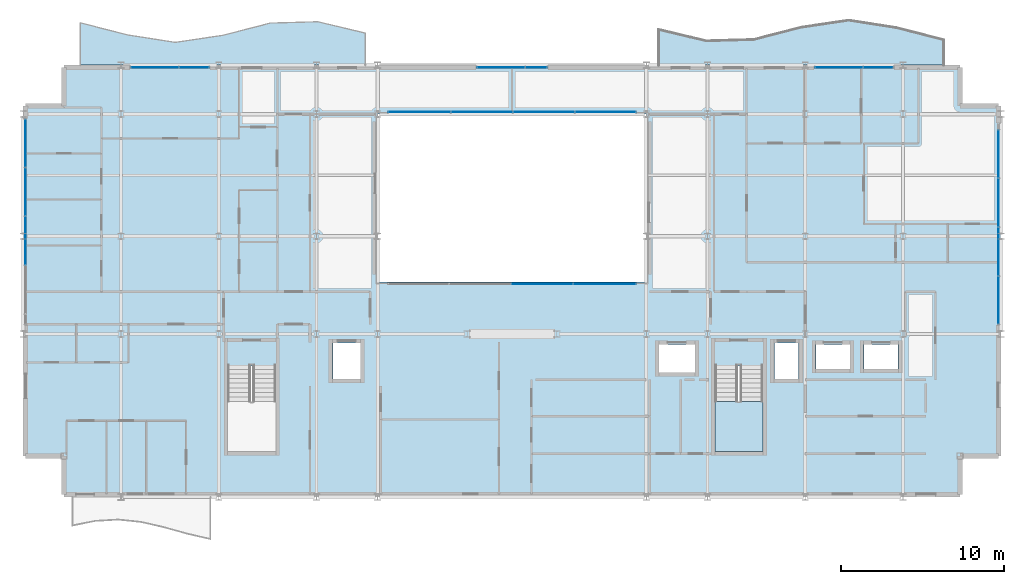
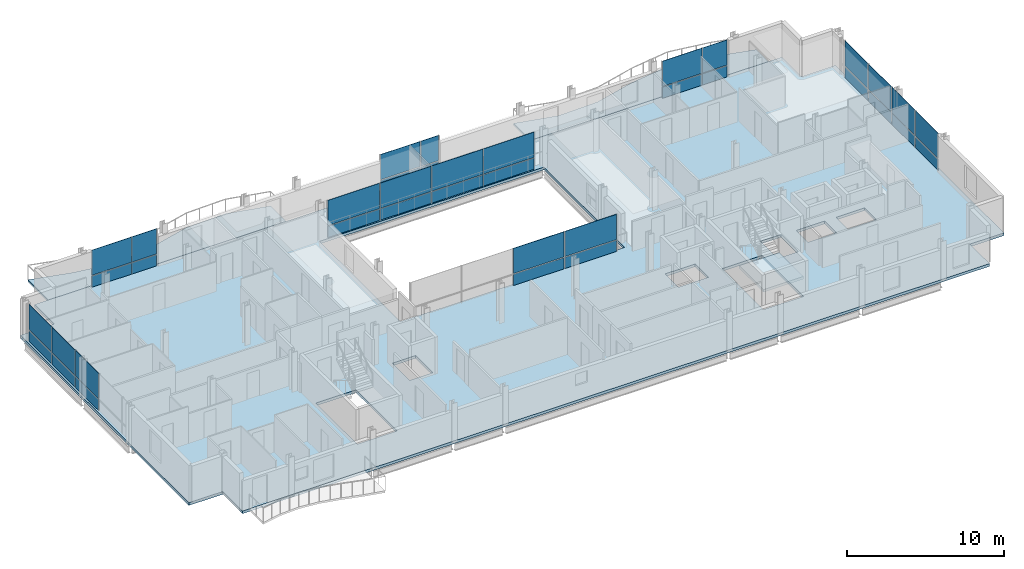
# One storey, part 26 of 35: 38 plates, 4 slabs, 8 elements without a shape of their own.
"""IFC4 building model written with IfcOpenShell, lengths in metres."""

from ifc_helpers import new_model, si_unit, direction, frame, origin, origin_2d, place, context, subcontext, project, spatial, polyline, rectangle, outline, extrude, material, layer, layer_set, type_object, element, aggregate, save


model = new_model("IFC4")

# Units and contexts
model_context = context("Model", 3, precision=1e-05, world=origin(), true_north=direction((0.0, 1.0)))
body_context = subcontext(model_context, "Body", "Model", "MODEL_VIEW")
ifc_project = project(units=[si_unit("LENGTHUNIT", "METRE"), si_unit("AREAUNIT", "SQUARE_METRE"), si_unit("VOLUMEUNIT", "CUBIC_METRE"), si_unit("PLANEANGLEUNIT", "RADIAN"), si_unit("MASSUNIT", "GRAM", prefix="KILO")], contexts=[model_context])

# Site, building, storey
site_placement = place(None, origin())
site = spatial("IfcSite", under=ifc_project, at=site_placement, CompositionType="ELEMENT")
building_placement = place(site_placement, origin())
building = spatial("IfcBuilding", under=site, at=building_placement, Name="Brevholm Reach", CompositionType="ELEMENT")
storey_placement = place(building_placement, frame((0.0, 0.0, 183.199951171875)))
storey = spatial("IfcBuildingStorey", under=building, at=storey_placement, Name="L55", CompositionType="ELEMENT", Elevation=183.199951171875)

# Curtain wall, plates
ifc_material_1 = material(Name="Dark Anodised Aluminium 6063-T6 and Solar-Control Glass", Category="aluminium")
ifc_layer_1 = layer(ifc_material_1, 0.14990234375)
ifc_layer_set_1 = layer_set([ifc_layer_1], Name="Dark Anodised Aluminium 6063-T6 and Solar-Control Glass")
curtain_wall_type_1 = type_object("IfcCurtainWallType", Name="CW-01", PredefinedType="NOTDEFINED", material=ifc_layer_set_1)
curtain_wall_1_placement = place(storey_placement, origin())
curtain_wall_1 = element("IfcCurtainWall", 1, at=curtain_wall_1_placement, inside=storey, type_object=curtain_wall_type_1, Name="L55 Curtain Wall CW-01", PredefinedType="NOTDEFINED")
ifc_material_2 = material(Name="Dark Solar-Control Double-Glazed IGU Glass", Category="glass")
ifc_layer_2 = layer(ifc_material_2, 0.028076171875)
ifc_layer_set_2 = layer_set([ifc_layer_2], Name="Dark Solar-Control Double-Glazed IGU Glass")
plate_type_1 = type_object("IfcPlateType", Name="CWP-GLZ-28", PredefinedType="CURTAIN_PANEL", material=ifc_layer_set_2)
plate_1_placement = place(storey_placement, frame((0.14990234375, 21.703857421875, 0.0), z_axis=(0.0, 0.0, 1.0), x_axis=(0.0, -1.0, 0.0)))
plate_1 = element("IfcPlate", 2, at=plate_1_placement, type_object=plate_type_1, Name="CP-01 Glazing Panel 1.1", PredefinedType="CURTAIN_PANEL", context=body_context, shape_type="SweptSolid", body=[
    extrude(rectangle(XDim=2.902587890625, YDim=0.028076171875, at=origin_2d()), origin(), (0.0, 0.0, 1.0), 0.867431640625),
])
plate_2_placement = place(storey_placement, frame((0.14990234375, 21.703857421875, 0.9326171875), z_axis=(0.0, 0.0, 1.0), x_axis=(0.0, -1.0, 0.0)))
plate_2 = element("IfcPlate", 3, at=plate_2_placement, type_object=plate_type_1, Name="CP-01 Glazing Panel 1.2", PredefinedType="CURTAIN_PANEL", context=body_context, shape_type="SweptSolid", body=[
    extrude(rectangle(XDim=2.902587890625, YDim=0.028076171875, at=origin_2d()), origin(), (0.0, 0.0, 1.0), 1.95751953125),
])
plate_3_placement = place(storey_placement, frame((0.14990234375, 18.719970703125, 0.0), z_axis=(0.0, 0.0, 1.0), x_axis=(0.0, -1.0, 0.0)))
plate_3 = element("IfcPlate", 4, at=plate_3_placement, type_object=plate_type_1, Name="CP-01 Glazing Panel 2.1", PredefinedType="CURTAIN_PANEL", context=body_context, shape_type="SweptSolid", body=[
    extrude(rectangle(XDim=2.93505859375, YDim=0.028076171875, at=origin_2d()), origin(), (0.0, 0.0, 1.0), 0.867431640625),
])
plate_4_placement = place(storey_placement, frame((0.14990234375, 18.719970703125, 0.9326171875), z_axis=(0.0, 0.0, 1.0), x_axis=(0.0, -1.0, 0.0)))
plate_4 = element("IfcPlate", 5, at=plate_4_placement, type_object=plate_type_1, Name="CP-01 Glazing Panel 2.2", PredefinedType="CURTAIN_PANEL", context=body_context, shape_type="SweptSolid", body=[
    extrude(rectangle(XDim=2.93505859375, YDim=0.028076171875, at=origin_2d()), origin(), (0.0, 0.0, 1.0), 1.95751953125),
])
plate_5_placement = place(storey_placement, frame((0.14990234375, 15.719970703125, 0.0), z_axis=(0.0, 0.0, 1.0), x_axis=(0.0, -1.0, 0.0)))
plate_5 = element("IfcPlate", 6, at=plate_5_placement, type_object=plate_type_1, Name="CP-01 Glazing Panel 3.1", PredefinedType="CURTAIN_PANEL", context=body_context, shape_type="SweptSolid", body=[
    extrude(rectangle(XDim=2.93505859375, YDim=0.028076171875, at=origin_2d()), origin(), (0.0, 0.0, 1.0), 0.867431640625),
])
plate_6_placement = place(storey_placement, frame((0.14990234375, 15.719970703125, 0.9326171875), z_axis=(0.0, 0.0, 1.0), x_axis=(0.0, -1.0, 0.0)))
plate_6 = element("IfcPlate", 7, at=plate_6_placement, type_object=plate_type_1, Name="CP-01 Glazing Panel 3.2", PredefinedType="CURTAIN_PANEL", context=body_context, shape_type="SweptSolid", body=[
    extrude(rectangle(XDim=2.93505859375, YDim=0.028076171875, at=origin_2d()), origin(), (0.0, 0.0, 1.0), 1.95751953125),
])
aggregate(curtain_wall_1, [plate_1, plate_2, plate_3, plate_4, plate_5, plate_6])

curtain_wall_2_placement = place(storey_placement, origin())
curtain_wall_2 = element("IfcCurtainWall", 8, at=curtain_wall_2_placement, inside=storey, type_object=curtain_wall_type_1, Name="L55 Curtain Wall CW-01", PredefinedType="NOTDEFINED")
plate_7_placement = place(storey_placement, frame((59.85009765625, 12.066162109375, 0.0), z_axis=(0.0, 0.0, 1.0), x_axis=(0.0, 1.0, 0.0)))
plate_7 = element("IfcPlate", 9, at=plate_7_placement, type_object=plate_type_1, Name="CP-01 Glazing Panel 1.1", PredefinedType="CURTAIN_PANEL", context=body_context, shape_type="SweptSolid", body=[
    extrude(rectangle(XDim=2.902587890625, YDim=0.028076171875, at=origin_2d()), origin(), (0.0, 0.0, 1.0), 0.867431640625),
])
plate_8_placement = place(storey_placement, frame((59.85009765625, 12.066162109375, 0.9326171875), z_axis=(0.0, 0.0, 1.0), x_axis=(0.0, 1.0, 0.0)))
plate_8 = element("IfcPlate", 10, at=plate_8_placement, type_object=plate_type_1, Name="CP-01 Glazing Panel 1.2", PredefinedType="CURTAIN_PANEL", context=body_context, shape_type="SweptSolid", body=[
    extrude(rectangle(XDim=2.902587890625, YDim=0.028076171875, at=origin_2d()), origin(), (0.0, 0.0, 1.0), 1.95751953125),
])
plate_9_placement = place(storey_placement, frame((59.85009765625, 15.050048828125, 0.0), z_axis=(0.0, 0.0, 1.0), x_axis=(0.0, 1.0, 0.0)))
plate_9 = element("IfcPlate", 11, at=plate_9_placement, type_object=plate_type_1, Name="CP-01 Glazing Panel 2.1", PredefinedType="CURTAIN_PANEL", context=body_context, shape_type="SweptSolid", body=[
    extrude(rectangle(XDim=2.93505859375, YDim=0.028076171875, at=origin_2d()), origin(), (0.0, 0.0, 1.0), 0.867431640625),
])
plate_10_placement = place(storey_placement, frame((59.85009765625, 15.050048828125, 0.9326171875), z_axis=(0.0, 0.0, 1.0), x_axis=(0.0, 1.0, 0.0)))
plate_10 = element("IfcPlate", 12, at=plate_10_placement, type_object=plate_type_1, Name="CP-01 Glazing Panel 2.2", PredefinedType="CURTAIN_PANEL", context=body_context, shape_type="SweptSolid", body=[
    extrude(rectangle(XDim=2.93505859375, YDim=0.028076171875, at=origin_2d()), origin(), (0.0, 0.0, 1.0), 1.95751953125),
])
plate_11_placement = place(storey_placement, frame((59.85009765625, 18.050048828125, 0.0), z_axis=(0.0, 0.0, 1.0), x_axis=(0.0, 1.0, 0.0)))
plate_11 = element("IfcPlate", 13, at=plate_11_placement, type_object=plate_type_1, Name="CP-01 Glazing Panel 3.1", PredefinedType="CURTAIN_PANEL", context=body_context, shape_type="SweptSolid", body=[
    extrude(rectangle(XDim=2.93505859375, YDim=0.028076171875, at=origin_2d()), origin(), (0.0, 0.0, 1.0), 0.867431640625),
])
plate_12_placement = place(storey_placement, frame((59.85009765625, 18.050048828125, 0.9326171875), z_axis=(0.0, 0.0, 1.0), x_axis=(0.0, 1.0, 0.0)))
plate_12 = element("IfcPlate", 14, at=plate_12_placement, type_object=plate_type_1, Name="CP-01 Glazing Panel 3.2", PredefinedType="CURTAIN_PANEL", context=body_context, shape_type="SweptSolid", body=[
    extrude(rectangle(XDim=2.93505859375, YDim=0.028076171875, at=origin_2d()), origin(), (0.0, 0.0, 1.0), 1.95751953125),
])
plate_13_placement = place(storey_placement, frame((59.85009765625, 21.050048828125, 0.0), z_axis=(0.0, 0.0, 1.0), x_axis=(0.0, 1.0, 0.0)))
plate_13 = element("IfcPlate", 15, at=plate_13_placement, type_object=plate_type_1, Name="CP-01 Glazing Panel 4.1", PredefinedType="CURTAIN_PANEL", context=body_context, shape_type="SweptSolid", body=[
    extrude(rectangle(XDim=2.93505859375, YDim=0.028076171875, at=origin_2d()), origin(), (0.0, 0.0, 1.0), 0.867431640625),
])
plate_14_placement = place(storey_placement, frame((59.85009765625, 21.050048828125, 0.9326171875), z_axis=(0.0, 0.0, 1.0), x_axis=(0.0, 1.0, 0.0)))
plate_14 = element("IfcPlate", 16, at=plate_14_placement, type_object=plate_type_1, Name="CP-01 Glazing Panel 4.2", PredefinedType="CURTAIN_PANEL", context=body_context, shape_type="SweptSolid", body=[
    extrude(rectangle(XDim=2.93505859375, YDim=0.028076171875, at=origin_2d()), origin(), (0.0, 0.0, 1.0), 1.95751953125),
])
aggregate(curtain_wall_2, [plate_7, plate_8, plate_9, plate_10, plate_11, plate_12, plate_13, plate_14])

curtain_wall_3_placement = place(storey_placement, origin())
curtain_wall_3 = element("IfcCurtainWall", 17, at=curtain_wall_3_placement, inside=storey, type_object=curtain_wall_type_1, Name="L55 Curtain Wall CW-01", PredefinedType="NOTDEFINED")
plate_15_placement = place(storey_placement, frame((8.066162109375, 26.35009765625, 0.0), z_axis=(0.0, 0.0, 1.0), x_axis=(1.0, 0.0, 0.0)))
plate_15 = element("IfcPlate", 18, at=plate_15_placement, type_object=plate_type_1, Name="CP-01 Glazing Panel 1.1", PredefinedType="CURTAIN_PANEL", context=body_context, shape_type="SweptSolid", body=[
    extrude(rectangle(XDim=2.902587890625, YDim=0.028076171875, at=origin_2d()), origin(), (0.0, 0.0, 1.0), 0.867431640625),
])
plate_16_placement = place(storey_placement, frame((8.066162109375, 26.35009765625, 0.9326171875), z_axis=(0.0, 0.0, 1.0), x_axis=(1.0, 0.0, 0.0)))
plate_16 = element("IfcPlate", 19, at=plate_16_placement, type_object=plate_type_1, Name="CP-01 Glazing Panel 1.2", PredefinedType="CURTAIN_PANEL", context=body_context, shape_type="SweptSolid", body=[
    extrude(rectangle(XDim=2.902587890625, YDim=0.028076171875, at=origin_2d()), origin(), (0.0, 0.0, 1.0), 1.95751953125),
])
plate_17_placement = place(storey_placement, frame((10.483642578125, 26.35009765625, 0.0), z_axis=(0.0, 0.0, 1.0), x_axis=(1.0, 0.0, 0.0)))
plate_17 = element("IfcPlate", 20, at=plate_17_placement, type_object=plate_type_1, Name="CP-01 Glazing Panel 2.1", PredefinedType="CURTAIN_PANEL", context=body_context, shape_type="SweptSolid", body=[
    extrude(rectangle(XDim=1.802490234375, YDim=0.028076171875, at=origin_2d()), origin(), (0.0, 0.0, 1.0), 0.867431640625),
])
plate_18_placement = place(storey_placement, frame((10.483642578125, 26.35009765625, 0.9326171875), z_axis=(0.0, 0.0, 1.0), x_axis=(1.0, 0.0, 0.0)))
plate_18 = element("IfcPlate", 21, at=plate_18_placement, type_object=plate_type_1, Name="CP-01 Glazing Panel 2.2", PredefinedType="CURTAIN_PANEL", context=body_context, shape_type="SweptSolid", body=[
    extrude(rectangle(XDim=1.802490234375, YDim=0.028076171875, at=origin_2d()), origin(), (0.0, 0.0, 1.0), 1.95751953125),
])
aggregate(curtain_wall_3, [plate_15, plate_16, plate_17, plate_18])

curtain_wall_4_placement = place(storey_placement, origin())
curtain_wall_4 = element("IfcCurtainWall", 22, at=curtain_wall_4_placement, inside=storey, type_object=curtain_wall_type_1, Name="L55 Curtain Wall CW-01", PredefinedType="NOTDEFINED")
plate_19_placement = place(storey_placement, frame((29.316162109375, 26.35009765625, 0.0), z_axis=(0.0, 0.0, 1.0), x_axis=(1.0, 0.0, 0.0)))
plate_19 = element("IfcPlate", 23, at=plate_19_placement, type_object=plate_type_1, Name="CP-01 Glazing Panel 1.1", PredefinedType="CURTAIN_PANEL", context=body_context, shape_type="SweptSolid", body=[
    extrude(rectangle(XDim=2.902587890625, YDim=0.028076171875, at=origin_2d()), origin(), (0.0, 0.0, 1.0), 0.867431640625),
])
plate_20_placement = place(storey_placement, frame((29.316162109375, 26.35009765625, 0.9326171875), z_axis=(0.0, 0.0, 1.0), x_axis=(1.0, 0.0, 0.0)))
plate_20 = element("IfcPlate", 24, at=plate_20_placement, type_object=plate_type_1, Name="CP-01 Glazing Panel 1.2", PredefinedType="CURTAIN_PANEL", context=body_context, shape_type="SweptSolid", body=[
    extrude(rectangle(XDim=2.902587890625, YDim=0.028076171875, at=origin_2d()), origin(), (0.0, 0.0, 1.0), 1.95751953125),
])
plate_21_placement = place(storey_placement, frame((31.483642578125, 26.35009765625, 0.0), z_axis=(0.0, 0.0, 1.0), x_axis=(1.0, 0.0, 0.0)))
plate_21 = element("IfcPlate", 25, at=plate_21_placement, type_object=plate_type_1, Name="CP-01 Glazing Panel 2.1", PredefinedType="CURTAIN_PANEL", context=body_context, shape_type="SweptSolid", body=[
    extrude(rectangle(XDim=1.302490234375, YDim=0.028076171875, at=origin_2d()), origin(), (0.0, 0.0, 1.0), 0.867431640625),
])
plate_22_placement = place(storey_placement, frame((31.483642578125, 26.35009765625, 0.9326171875), z_axis=(0.0, 0.0, 1.0), x_axis=(1.0, 0.0, 0.0)))
plate_22 = element("IfcPlate", 26, at=plate_22_placement, type_object=plate_type_1, Name="CP-01 Glazing Panel 2.2", PredefinedType="CURTAIN_PANEL", context=body_context, shape_type="SweptSolid", body=[
    extrude(rectangle(XDim=1.302490234375, YDim=0.028076171875, at=origin_2d()), origin(), (0.0, 0.0, 1.0), 1.95751953125),
])
aggregate(curtain_wall_4, [plate_19, plate_20, plate_21, plate_22])

curtain_wall_5_placement = place(storey_placement, origin())
curtain_wall_5 = element("IfcCurtainWall", 27, at=curtain_wall_5_placement, inside=storey, type_object=curtain_wall_type_1, Name="L55 Curtain Wall CW-01", PredefinedType="NOTDEFINED")
plate_23_placement = place(storey_placement, frame((50.066162109375, 26.35009765625, 0.0), z_axis=(0.0, 0.0, 1.0), x_axis=(1.0, 0.0, 0.0)))
plate_23 = element("IfcPlate", 28, at=plate_23_placement, type_object=plate_type_1, Name="CP-01 Glazing Panel 1.1", PredefinedType="CURTAIN_PANEL", context=body_context, shape_type="SweptSolid", body=[
    extrude(rectangle(XDim=2.902587890625, YDim=0.028076171875, at=origin_2d()), origin(), (0.0, 0.0, 1.0), 0.867431640625),
])
plate_24_placement = place(storey_placement, frame((50.066162109375, 26.35009765625, 0.9326171875), z_axis=(0.0, 0.0, 1.0), x_axis=(1.0, 0.0, 0.0)))
plate_24 = element("IfcPlate", 29, at=plate_24_placement, type_object=plate_type_1, Name="CP-01 Glazing Panel 1.2", PredefinedType="CURTAIN_PANEL", context=body_context, shape_type="SweptSolid", body=[
    extrude(rectangle(XDim=2.902587890625, YDim=0.028076171875, at=origin_2d()), origin(), (0.0, 0.0, 1.0), 1.95751953125),
])
plate_25_placement = place(storey_placement, frame((52.483642578125, 26.35009765625, 0.0), z_axis=(0.0, 0.0, 1.0), x_axis=(1.0, 0.0, 0.0)))
plate_25 = element("IfcPlate", 30, at=plate_25_placement, type_object=plate_type_1, Name="CP-01 Glazing Panel 2.1", PredefinedType="CURTAIN_PANEL", context=body_context, shape_type="SweptSolid", body=[
    extrude(rectangle(XDim=1.802490234375, YDim=0.028076171875, at=origin_2d()), origin(), (0.0, 0.0, 1.0), 0.867431640625),
])
plate_26_placement = place(storey_placement, frame((52.483642578125, 26.35009765625, 0.9326171875), z_axis=(0.0, 0.0, 1.0), x_axis=(1.0, 0.0, 0.0)))
plate_26 = element("IfcPlate", 31, at=plate_26_placement, type_object=plate_type_1, Name="CP-01 Glazing Panel 2.2", PredefinedType="CURTAIN_PANEL", context=body_context, shape_type="SweptSolid", body=[
    extrude(rectangle(XDim=1.802490234375, YDim=0.028076171875, at=origin_2d()), origin(), (0.0, 0.0, 1.0), 1.95751953125),
])
aggregate(curtain_wall_5, [plate_23, plate_24, plate_25, plate_26])

ifc_material_3 = material(Name="Dark Anodised Aluminium 6063-T6 and Solar-Control Glass", Category="aluminium")
ifc_layer_3 = layer(ifc_material_3, 0.139892578125)
ifc_layer_set_3 = layer_set([ifc_layer_3], Name="Dark Anodised Aluminium 6063-T6 and Solar-Control Glass")
curtain_wall_type_2 = type_object("IfcCurtainWallType", Name="CW-02", PredefinedType="NOTDEFINED", material=ifc_layer_set_3)
curtain_wall_6_placement = place(storey_placement, origin())
curtain_wall_6 = element("IfcCurtainWall", 32, at=curtain_wall_6_placement, inside=storey, type_object=curtain_wall_type_2, Name="L55 Curtain Wall CW-02", PredefinedType="NOTDEFINED")
ifc_material_4 = material(Name="Low-Iron Laminated Acoustic Glass", Category="glass")
ifc_layer_4 = layer(ifc_material_4, 0.035888671875)
ifc_layer_set_4 = layer_set([ifc_layer_4], Name="Low-Iron Laminated Acoustic Glass")
plate_type_2 = type_object("IfcPlateType", Name="CWP-GLZ-36", PredefinedType="CURTAIN_PANEL", material=ifc_layer_set_4)
plate_27_placement = place(storey_placement, frame((31.85009765625, 13.080078125, 0.0), z_axis=(0.0, 0.0, 1.0), x_axis=(1.0, 0.0, 0.0)))
plate_27 = element("IfcPlate", 33, at=plate_27_placement, type_object=plate_type_2, Name="CP-02 Glazing Panel 3.1", PredefinedType="CURTAIN_PANEL", context=body_context, shape_type="SweptSolid", body=[
    extrude(rectangle(XDim=3.739990234375, YDim=0.035888671875, at=origin_2d()), origin(), (0.0, 0.0, 1.0), 0.8701171875),
])
plate_28_placement = place(storey_placement, frame((31.85009765625, 13.080078125, 0.93017578125), z_axis=(0.0, 0.0, 1.0), x_axis=(1.0, 0.0, 0.0)))
plate_28 = element("IfcPlate", 34, at=plate_28_placement, type_object=plate_type_2, Name="CP-02 Glazing Panel 3.2", PredefinedType="CURTAIN_PANEL", context=body_context, shape_type="SweptSolid", body=[
    extrude(rectangle(XDim=3.739990234375, YDim=0.035888671875, at=origin_2d()), origin(), (0.0, 0.0, 1.0), 1.9599609375),
])
plate_29_placement = place(storey_placement, frame((35.68505859375, 13.080078125, 0.0), z_axis=(0.0, 0.0, 1.0), x_axis=(1.0, 0.0, 0.0)))
plate_29 = element("IfcPlate", 35, at=plate_29_placement, type_object=plate_type_2, Name="CP-02 Glazing Panel 4.1", PredefinedType="CURTAIN_PANEL", context=body_context, shape_type="SweptSolid", body=[
    extrude(rectangle(XDim=3.81005859375, YDim=0.035888671875, at=origin_2d()), origin(), (0.0, 0.0, 1.0), 0.8701171875),
])
plate_30_placement = place(storey_placement, frame((35.68505859375, 13.080078125, 0.93017578125), z_axis=(0.0, 0.0, 1.0), x_axis=(1.0, 0.0, 0.0)))
plate_30 = element("IfcPlate", 36, at=plate_30_placement, type_object=plate_type_2, Name="CP-02 Glazing Panel 4.2", PredefinedType="CURTAIN_PANEL", context=body_context, shape_type="SweptSolid", body=[
    extrude(rectangle(XDim=3.81005859375, YDim=0.035888671875, at=origin_2d()), origin(), (0.0, 0.0, 1.0), 1.9599609375),
])
aggregate(curtain_wall_6, [plate_27, plate_28, plate_29, plate_30])

curtain_wall_7_placement = place(storey_placement, origin())
curtain_wall_7 = element("IfcCurtainWall", 37, at=curtain_wall_7_placement, inside=storey, type_object=curtain_wall_type_2, Name="L55 Curtain Wall CW-02", PredefinedType="NOTDEFINED")
plate_31_placement = place(storey_placement, frame((35.735107421875, 23.6201171875, 0.0), z_axis=(0.0, 0.0, 1.0), x_axis=(-1.0, 0.0, 0.0)))
plate_31 = element("IfcPlate", 38, at=plate_31_placement, type_object=plate_type_2, Name="CP-02 Glazing Panel 1.1", PredefinedType="CURTAIN_PANEL", context=body_context, shape_type="SweptSolid", body=[
    extrude(rectangle(XDim=3.7099609375, YDim=0.035888671875, at=origin_2d()), origin(), (0.0, 0.0, 1.0), 0.8701171875),
])
plate_32_placement = place(storey_placement, frame((35.735107421875, 23.6201171875, 0.93017578125), z_axis=(0.0, 0.0, 1.0), x_axis=(-1.0, 0.0, 0.0)))
plate_32 = element("IfcPlate", 39, at=plate_32_placement, type_object=plate_type_2, Name="CP-02 Glazing Panel 1.2", PredefinedType="CURTAIN_PANEL", context=body_context, shape_type="SweptSolid", body=[
    extrude(rectangle(XDim=3.7099609375, YDim=0.035888671875, at=origin_2d()), origin(), (0.0, 0.0, 1.0), 1.9599609375),
])
plate_33_placement = place(storey_placement, frame((31.949951171875, 23.6201171875, 0.0), z_axis=(0.0, 0.0, 1.0), x_axis=(-1.0, 0.0, 0.0)))
plate_33 = element("IfcPlate", 40, at=plate_33_placement, type_object=plate_type_2, Name="CP-02 Glazing Panel 2.1", PredefinedType="CURTAIN_PANEL", context=body_context, shape_type="SweptSolid", body=[
    extrude(rectangle(XDim=3.739990234375, YDim=0.035888671875, at=origin_2d()), origin(), (0.0, 0.0, 1.0), 0.8701171875),
])
plate_34_placement = place(storey_placement, frame((31.949951171875, 23.6201171875, 0.93017578125), z_axis=(0.0, 0.0, 1.0), x_axis=(-1.0, 0.0, 0.0)))
plate_34 = element("IfcPlate", 41, at=plate_34_placement, type_object=plate_type_2, Name="CP-02 Glazing Panel 2.2", PredefinedType="CURTAIN_PANEL", context=body_context, shape_type="SweptSolid", body=[
    extrude(rectangle(XDim=3.739990234375, YDim=0.035888671875, at=origin_2d()), origin(), (0.0, 0.0, 1.0), 1.9599609375),
])
plate_35_placement = place(storey_placement, frame((28.14990234375, 23.6201171875, 0.0), z_axis=(0.0, 0.0, 1.0), x_axis=(-1.0, 0.0, 0.0)))
plate_35 = element("IfcPlate", 42, at=plate_35_placement, type_object=plate_type_2, Name="CP-02 Glazing Panel 3.1", PredefinedType="CURTAIN_PANEL", context=body_context, shape_type="SweptSolid", body=[
    extrude(rectangle(XDim=3.739990234375, YDim=0.035888671875, at=origin_2d()), origin(), (0.0, 0.0, 1.0), 0.8701171875),
])
plate_36_placement = place(storey_placement, frame((28.14990234375, 23.6201171875, 0.93017578125), z_axis=(0.0, 0.0, 1.0), x_axis=(-1.0, 0.0, 0.0)))
plate_36 = element("IfcPlate", 43, at=plate_36_placement, type_object=plate_type_2, Name="CP-02 Glazing Panel 3.2", PredefinedType="CURTAIN_PANEL", context=body_context, shape_type="SweptSolid", body=[
    extrude(rectangle(XDim=3.739990234375, YDim=0.035888671875, at=origin_2d()), origin(), (0.0, 0.0, 1.0), 1.9599609375),
])
plate_37_placement = place(storey_placement, frame((24.31494140625, 23.6201171875, 0.0), z_axis=(0.0, 0.0, 1.0), x_axis=(-1.0, 0.0, 0.0)))
plate_37 = element("IfcPlate", 44, at=plate_37_placement, type_object=plate_type_2, Name="CP-02 Glazing Panel 4.1", PredefinedType="CURTAIN_PANEL", context=body_context, shape_type="SweptSolid", body=[
    extrude(rectangle(XDim=3.81005859375, YDim=0.035888671875, at=origin_2d()), origin(), (0.0, 0.0, 1.0), 0.8701171875),
])
plate_38_placement = place(storey_placement, frame((24.31494140625, 23.6201171875, 0.93017578125), z_axis=(0.0, 0.0, 1.0), x_axis=(-1.0, 0.0, 0.0)))
plate_38 = element("IfcPlate", 45, at=plate_38_placement, type_object=plate_type_2, Name="CP-02 Glazing Panel 4.2", PredefinedType="CURTAIN_PANEL", context=body_context, shape_type="SweptSolid", body=[
    extrude(rectangle(XDim=3.81005859375, YDim=0.035888671875, at=origin_2d()), origin(), (0.0, 0.0, 1.0), 1.9599609375),
])
aggregate(curtain_wall_7, [plate_31, plate_32, plate_33, plate_34, plate_35, plate_36, plate_37, plate_38])

# Slabs
ifc_material_5 = material(Name="Precast Concrete C45/55", Category="concrete")
ifc_layer_5 = layer(ifc_material_5, 0.14990234375)
ifc_layer_set_5 = layer_set([ifc_layer_5], Name="Precast Concrete C45/55")
slab_type_1 = type_object("IfcSlabType", Name="SLB-BAL-150", PredefinedType="FLOOR", material=ifc_layer_set_5)
slab_1_placement = place(storey_placement, frame((0.0, 0.0, -0.14990234375)))
element("IfcSlab", 46, at=slab_1_placement, inside=storey, type_object=slab_type_1, Name="L55 Rippling External Balcony NE", PredefinedType="FLOOR", context=body_context, shape_type="SweptSolid", body=[
    extrude(outline(polyline([(39.0, 26.5), (56.5, 26.5), (56.5, 28.05029296875), (53.583251953125, 28.794921875), (50.666748046875, 29.25), (47.75, 28.81689453125), (44.833251953125, 28.065673828125), (41.916748046875, 27.984619140625), (39.0, 28.6806640625), (39.0, 26.5)])), origin(), (0.0, 0.0, 1.0), 0.14990234375),
])
slab_2_placement = place(storey_placement, frame((0.0, 0.0, -0.14990234375)))
element("IfcSlab", 47, at=slab_2_placement, inside=storey, type_object=slab_type_1, Name="L55 Rippling External Balcony NW", PredefinedType="FLOOR", context=body_context, shape_type="SweptSolid", body=[
    extrude(outline(polyline([(3.5, 26.5), (21.0, 26.5), (21.0, 28.469482421875), (18.083251953125, 29.165283203125), (15.166748046875, 29.08447265625), (12.25, 28.3330078125), (9.333251953125, 27.900146484375), (6.416748046875, 28.355224609375), (3.5, 29.099609375), (3.5, 26.5)])), origin(), (0.0, 0.0, 1.0), 0.14990234375),
])
ifc_material_6 = material(Name="Concrete C40/50", Category="concrete")
ifc_layer_6 = layer(ifc_material_6, 0.2099609375)
ifc_layer_set_6 = layer_set([ifc_layer_6], Name="Concrete C40/50")
slab_type_2 = type_object("IfcSlabType", Name="SLB-FL-210", PredefinedType="FLOOR", material=ifc_layer_set_6)
slab_3_placement = place(storey_placement, frame((0.0, 0.0, -0.2099609375)))
element("IfcSlab", 48, at=slab_3_placement, inside=storey, type_object=slab_type_2, Name="L55 Suspended Floor Slab (main)", PredefinedType="FLOOR", context=body_context, shape_type="SweptSolid", body=[
    extrude(outline(polyline([(2.5, 0.0), (57.5, 0.0), (57.5, 2.5), (60.0, 2.5), (60.0, 24.0), (57.5, 24.0), (57.5, 26.5), (2.5, 26.5), (2.5, 24.0), (0.0, 24.0), (0.0, 2.5), (2.5, 2.5), (2.5, 0.0)]), holes=[polyline([(21.75, 13.199951171875), (38.25, 13.199951171875), (38.25, 23.5), (21.75, 23.5), (21.75, 13.199951171875)]), polyline([(12.550048828125, 2.780029296875), (15.5, 2.780029296875), (15.5, 8.044921875), (12.550048828125, 8.044921875), (12.550048828125, 2.780029296875)]), polyline([(42.449951171875, 2.780029296875), (45.39990234375, 2.780029296875), (45.39990234375, 8.044921875), (42.449951171875, 8.044921875), (42.449951171875, 2.780029296875)]), polyline([(19.0, 7.25), (20.699951171875, 7.25), (20.699951171875, 9.449951171875), (19.0, 9.449951171875), (19.0, 7.25)]), polyline([(46.10009765625, 7.25), (47.60009765625, 7.25), (47.60009765625, 9.449951171875), (46.10009765625, 9.449951171875), (46.10009765625, 7.25)]), polyline([(39.02001953125, 7.64990234375), (41.219970703125, 7.64990234375), (41.219970703125, 9.35009765625), (39.02001953125, 9.35009765625), (39.02001953125, 7.64990234375)]), polyline([(48.64990234375, 7.85009765625), (50.75, 7.85009765625), (50.75, 9.35009765625), (48.64990234375, 9.35009765625), (48.64990234375, 7.85009765625)]), polyline([(51.60009765625, 7.85009765625), (53.699951171875, 7.85009765625), (53.699951171875, 9.35009765625), (51.60009765625, 9.35009765625), (51.60009765625, 7.85009765625)])]), origin(), (0.0, 0.0, 1.0), 0.2099609375),
])

# Stair, slab
ifc_material_7 = material(Name="Precast Concrete C40/50", Category="concrete")
stair_type = type_object("IfcStairType", Name="STR-ESC-1400", PredefinedType="DOUBLE_RETURN_STAIR", material=ifc_material_7)
stair_placement = place(storey_placement, origin())
stair = element("IfcStair", 49, at=stair_placement, inside=storey, type_object=stair_type, Name="L55 ST-2", PredefinedType="DOUBLE_RETURN_STAIR")
ifc_material_8 = material(Name="Concrete C40/50", Category="concrete")
ifc_layer_7 = layer(ifc_material_8, 0.199951171875)
ifc_layer_set_7 = layer_set([ifc_layer_7], Name="Concrete C40/50")
slab_type_3 = type_object("IfcSlabType", Name="SLB-LND-200", PredefinedType="LANDING", material=ifc_layer_set_7)
slab_4_placement = place(storey_placement, frame((0.0, 0.0, 1.35009765625)))
slab_4 = element("IfcSlab", 50, at=slab_4_placement, type_object=slab_type_3, Name="ST-2 landing 1", PredefinedType="LANDING", context=body_context, shape_type="SweptSolid", body=[
    extrude(outline(polyline([(42.449951171875, 5.860107421875), (42.449951171875, 2.780029296875), (45.39990234375, 2.780029296875), (45.39990234375, 5.860107421875), (42.449951171875, 5.860107421875)])), origin(), (0.0, 0.0, 1.0), 0.199951171875),
])
aggregate(stair, [slab_4])

save(model, "model.ifc")
